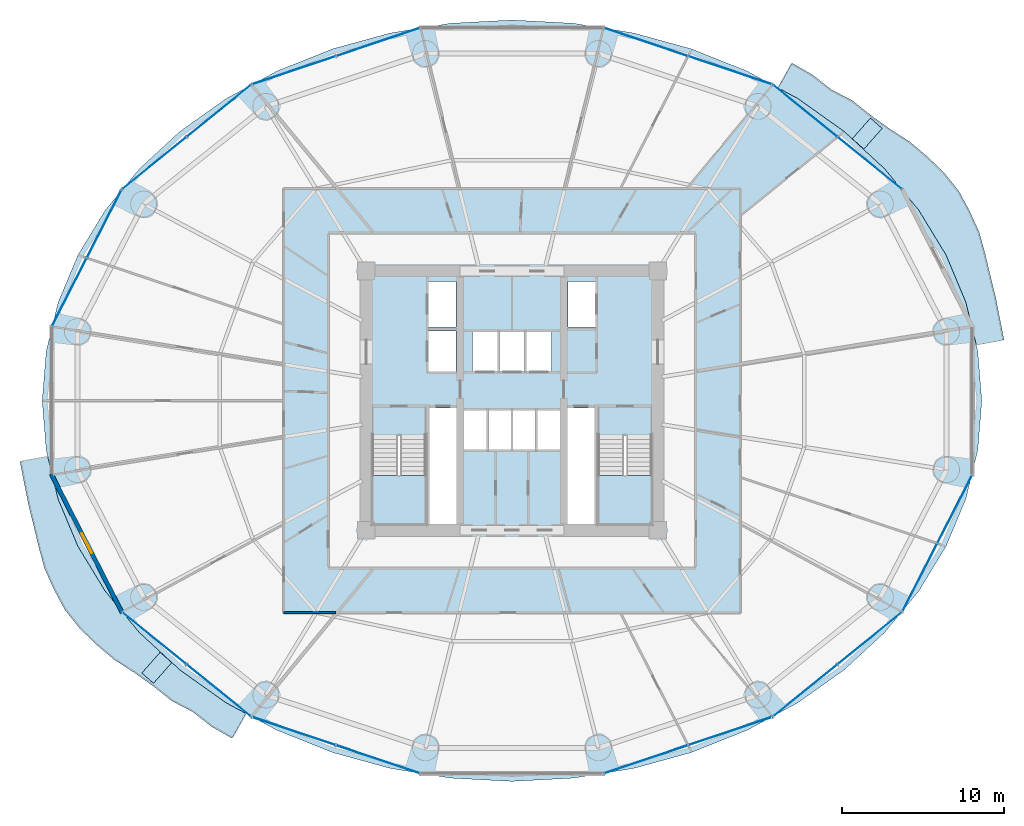
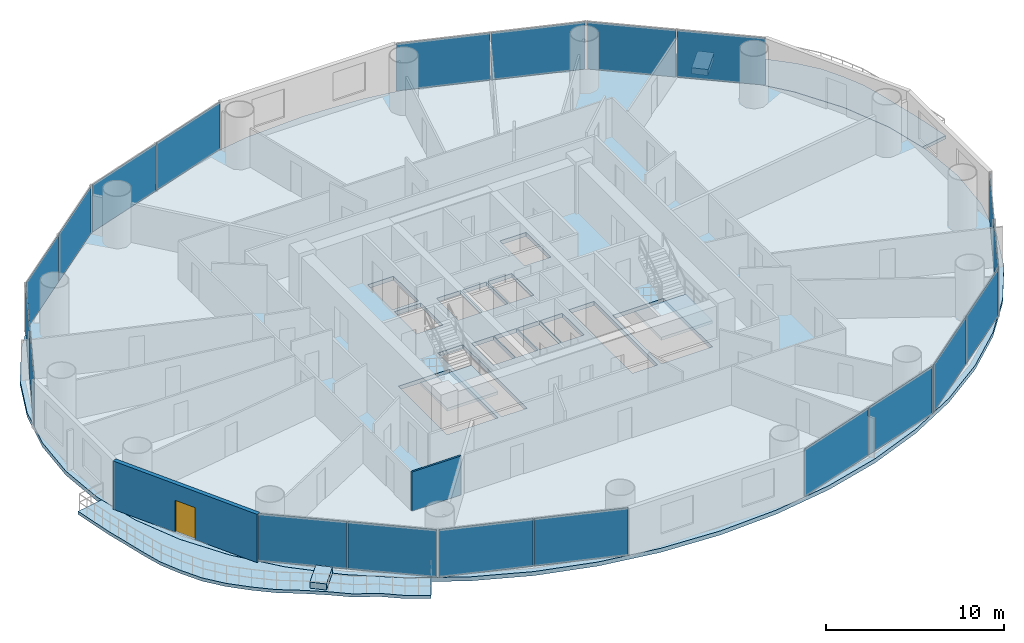
# One storey, part 20 of 28: 20 plates, 7 slabs, 2 walls, 1 door, 1 opening, 12 elements without a shape of their own.
"""IFC4 building model written with IfcOpenShell, lengths in metres."""

from ifc_helpers import new_model, si_unit, direction, frame, frame_2d, origin, origin_2d, place, context, subcontext, project, spatial, polyline, rectangle, outline, extrude, source, transform, mapped, material, layer, layer_set, type_object, element, fill, aggregate, save


model = new_model("IFC4")

# Units and contexts
model_context = context("Model", 3, precision=1e-05, world=origin(), true_north=direction((-0.2419218956, 0.970295726276)))
body_context = subcontext(model_context, "Body", "Model", "MODEL_VIEW")
ifc_project = project(units=[si_unit("LENGTHUNIT", "METRE"), si_unit("AREAUNIT", "SQUARE_METRE"), si_unit("VOLUMEUNIT", "CUBIC_METRE"), si_unit("PLANEANGLEUNIT", "RADIAN"), si_unit("MASSUNIT", "GRAM", prefix="KILO")], contexts=[model_context])

# Site, building, storey
site_placement = place(None, origin())
site = spatial("IfcSite", under=ifc_project, at=site_placement, CompositionType="ELEMENT")
building_placement = place(site_placement, origin())
building = spatial("IfcBuilding", under=site, at=building_placement, Name="Cobrevalo Terracotta Tower", CompositionType="ELEMENT")
storey_placement = place(building_placement, frame((0.0, 0.0, 38.39990234375)))
storey = spatial("IfcBuildingStorey", under=building, at=storey_placement, Name="L09", CompositionType="ELEMENT", Elevation=38.39990234375)

# Stair, slab
ifc_material_1 = material(Name="Concrete C50", Category="concrete")
stair_type = type_object("IfcStairType", Name="Core protected escape dogleg stair 1600", PredefinedType="HALF_TURN_STAIR", material=ifc_material_1)
stair_1_placement = place(storey_placement, origin())
stair_1 = element("IfcStair", 1, at=stair_1_placement, inside=storey, type_object=stair_type, Name="L09 Protected exit stair ST-1", PredefinedType="HALF_TURN_STAIR")
ifc_layer_1 = layer(ifc_material_1, 0.199951171875)
ifc_layer_set_1 = layer_set([ifc_layer_1], Name="Concrete C50")
slab_type_1 = type_object("IfcSlabType", Name="Reinforced Concrete Stair Landing 200", PredefinedType="LANDING", material=ifc_layer_set_1)
slab_1_placement = place(storey_placement, frame((0.0, 0.0, 1.60009765625)))
slab_1 = element("IfcSlab", 2, at=slab_1_placement, type_object=slab_type_1, Name="ST-1 landing 1", PredefinedType="LANDING", context=body_context, shape_type="SweptSolid", body=[
    extrude(outline(polyline([(29.375, 22.179931640625), (29.375, 19.175048828125), (32.695068359375, 19.175048828125), (32.695068359375, 22.179931640625), (29.375, 22.179931640625)])), origin(), (0.0, 0.0, 1.0), 0.199951171875),
])
aggregate(stair_1, [slab_1])

stair_2_placement = place(storey_placement, origin())
stair_2 = element("IfcStair", 3, at=stair_2_placement, inside=storey, type_object=stair_type, Name="L09 Protected exit stair ST-2", PredefinedType="HALF_TURN_STAIR")
slab_2_placement = place(storey_placement, frame((0.0, 0.0, 1.60009765625)))
slab_2 = element("IfcSlab", 4, at=slab_2_placement, type_object=slab_type_1, Name="ST-2 landing 1", PredefinedType="LANDING", context=body_context, shape_type="SweptSolid", body=[
    extrude(outline(polyline([(43.304931640625, 22.179931640625), (43.304931640625, 19.175048828125), (46.625, 19.175048828125), (46.625, 22.179931640625), (43.304931640625, 22.179931640625)])), origin(), (0.0, 0.0, 1.0), 0.199951171875),
])
aggregate(stair_2, [slab_2])

# Slabs
ifc_material_2 = material(Name="Concrete C45", Category="concrete")
ifc_layer_2 = layer(ifc_material_2, 0.219970703125)
ifc_layer_set_2 = layer_set([ifc_layer_2], Name="Concrete C45")
slab_type_2 = type_object("IfcSlabType", Name="Spiralling cantilevered balcony lobe slab 220 mm", PredefinedType="FLOOR", material=ifc_layer_set_2)
slab_3_placement = place(storey_placement, frame((0.0, 0.0, -0.219970703125)))
element("IfcSlab", 5, at=slab_3_placement, inside=storey, type_object=slab_type_2, Name="L09 spiralling arc balcony slab lobe 1", PredefinedType="FLOOR", context=body_context, shape_type="SweptSolid", body=[
    extrude(outline(polyline([(68.37060546875, 30.549560546875), (68.120849609375, 31.8515625), (67.861083984375, 33.158447265625), (67.540283203125, 34.47265625), (67.219970703125, 35.8173828125), (66.849365234375, 37.1708984375), (66.27099609375, 38.466064453125), (65.593994140625, 39.715087890625), (64.701171875, 40.838623046875), (63.66357421875, 41.850341796875), (62.562255859375, 42.779296875), (61.32080078125, 43.580810546875), (60.14697265625, 44.41748046875), (59.019775390625, 45.320068359375), (57.7158203125, 46.002685546875), (56.57080078125, 46.901611328125), (55.283447265625, 47.643310546875), (54.427001953125, 46.1103515625), (55.6552734375, 45.4453125), (58.507568359375, 43.41845703125), (61.0087890625, 41.107177734375), (63.116455078125, 38.551025390625), (64.79443359375, 35.7939453125), (66.013671875, 32.8828125), (66.6630859375, 30.237548828125), (68.37060546875, 30.549560546875)])), origin(), (0.0, 0.0, 1.0), 0.219970703125),
])
slab_4_placement = place(storey_placement, frame((0.0, 0.0, -0.219970703125)))
element("IfcSlab", 6, at=slab_4_placement, inside=storey, type_object=slab_type_2, Name="L09 spiralling arc balcony slab lobe 2", PredefinedType="FLOOR", context=body_context, shape_type="SweptSolid", body=[
    extrude(outline(polyline([(7.62939453125, 23.050537109375), (7.879150390625, 21.748291015625), (8.138916015625, 20.441650390625), (8.459716796875, 19.12744140625), (8.780029296875, 17.782470703125), (9.150634765625, 16.428955078125), (9.72900390625, 15.134033203125), (10.406005859375, 13.885009765625), (11.298828125, 12.761474609375), (12.33642578125, 11.749755859375), (13.437744140625, 10.82080078125), (14.67919921875, 10.019287109375), (15.85302734375, 9.182373046875), (16.980224609375, 8.280029296875), (18.2841796875, 7.597412109375), (19.42919921875, 6.698486328125), (20.716552734375, 5.956787109375), (21.572998046875, 7.489501953125), (20.3447265625, 8.154541015625), (17.492431640625, 10.181640625), (14.9912109375, 12.492919921875), (12.883544921875, 15.049072265625), (11.20556640625, 17.80615234375), (9.986328125, 20.71728515625), (9.3369140625, 23.362548828125), (7.62939453125, 23.050537109375)])), origin(), (0.0, 0.0, 1.0), 0.219970703125),
])
ifc_material_3 = material(Name="Precast concrete C45", Category="concrete")
ifc_layer_3 = layer(ifc_material_3, 0.419921875)
ifc_layer_set_3 = layer_set([ifc_layer_3], Name="Precast concrete C45")
slab_type_3 = type_object("IfcSlabType", Name="Structural tree planter trough base 420 mm", PredefinedType="USERDEFINED", material=ifc_layer_set_3)
slab_5_placement = place(storey_placement, origin())
element("IfcSlab", 7, at=slab_5_placement, inside=storey, type_object=slab_type_3, Name="L09 structural tree planter trough 1", ObjectType="PLANTER", PredefinedType="USERDEFINED", context=body_context, shape_type="SweptSolid", body=[
    extrude(outline(polyline([(59.722412109375, 42.33447265625), (60.8486328125, 43.607666015625), (60.129638671875, 44.24365234375), (59.00341796875, 42.970458984375), (59.722412109375, 42.33447265625)])), origin(), (0.0, 0.0, 1.0), 0.420166015625),
])
slab_6_placement = place(storey_placement, origin())
element("IfcSlab", 8, at=slab_6_placement, inside=storey, type_object=slab_type_3, Name="L09 structural tree planter trough 2", ObjectType="PLANTER", PredefinedType="USERDEFINED", context=body_context, shape_type="SweptSolid", body=[
    extrude(outline(polyline([(16.277587890625, 11.265625), (15.1513671875, 9.9921875), (15.870361328125, 9.356201171875), (16.99658203125, 10.629638671875), (16.277587890625, 11.265625)])), origin(), (0.0, 0.0, 1.0), 0.420166015625),
])
ifc_layer_4 = layer(ifc_material_1, 0.280029296875)
ifc_layer_set_4 = layer_set([ifc_layer_4], Name="Concrete C50")
slab_type_4 = type_object("IfcSlabType", Name="Zone Z1 elliptical floor plate 280 mm", PredefinedType="FLOOR", material=ifc_layer_set_4)
slab_7_placement = place(storey_placement, frame((0.0, 0.0, -0.27978515625)))
element("IfcSlab", 9, at=slab_7_placement, inside=storey, type_object=slab_type_4, Name="L09 indoor elliptical floor slab", PredefinedType="FLOOR", context=body_context, shape_type="SweptSolid", body=[
    extrude(outline(polyline([(66.751953125, 23.732666015625), (66.011962890625, 20.7177734375), (64.79248046875, 17.806884765625), (63.11474609375, 15.050048828125), (61.00732421875, 12.494140625), (58.506103515625, 10.18310546875), (55.654052734375, 8.15625), (52.5, 6.448486328125), (49.097900390625, 5.0888671875), (45.505859375, 4.100830078125), (41.78515625, 3.5009765625), (38.0, 3.300048828125), (34.21484375, 3.5009765625), (30.494140625, 4.100830078125), (26.902099609375, 5.0888671875), (23.5, 6.448486328125), (20.345947265625, 8.15625), (17.493896484375, 10.18310546875), (14.99267578125, 12.494140625), (12.88525390625, 15.050048828125), (11.20751953125, 17.806884765625), (9.988037109375, 20.7177734375), (9.248046875, 23.732666015625), (9.0, 26.800048828125), (9.248046875, 29.867431640625), (9.988037109375, 32.88232421875), (11.20751953125, 35.79296875), (12.88525390625, 38.550048828125), (14.99267578125, 41.10595703125), (17.493896484375, 43.4169921875), (20.345947265625, 45.44384765625), (23.5, 47.151611328125), (26.902099609375, 48.51123046875), (30.494140625, 49.499267578125), (34.21484375, 50.098876953125), (38.0, 50.300048828125), (41.78515625, 50.098876953125), (45.505859375, 49.499267578125), (49.097900390625, 48.51123046875), (52.5, 47.151611328125), (55.654052734375, 45.44384765625), (58.506103515625, 43.4169921875), (61.00732421875, 41.10595703125), (63.11474609375, 38.550048828125), (64.79248046875, 35.79296875), (66.011962890625, 32.88232421875), (66.751953125, 29.867431640625), (67.0, 26.800048828125), (66.751953125, 23.732666015625)]), holes=[polyline([(32.695068359375, 19.175048828125), (32.695068359375, 24.659912109375), (29.375, 24.659912109375), (29.375, 19.175048828125), (32.695068359375, 19.175048828125)]), polyline([(34.574951171875, 19.175048828125), (34.574951171875, 26.360107421875), (32.919921875, 26.360107421875), (32.919921875, 19.175048828125), (34.574951171875, 19.175048828125)]), polyline([(36.47998046875, 23.800048828125), (36.47998046875, 26.25), (35.050048828125, 26.25), (35.050048828125, 23.800048828125), (36.47998046875, 23.800048828125)]), polyline([(37.9599609375, 23.800048828125), (37.9599609375, 26.25), (36.530029296875, 26.25), (36.530029296875, 23.800048828125), (37.9599609375, 23.800048828125)]), polyline([(37.1201171875, 28.60009765625), (37.1201171875, 31.050048828125), (35.550048828125, 31.050048828125), (35.550048828125, 28.60009765625), (37.1201171875, 28.60009765625)]), polyline([(34.550048828125, 28.60009765625), (34.550048828125, 31.10009765625), (32.85009765625, 31.10009765625), (32.85009765625, 28.60009765625), (34.550048828125, 28.60009765625)]), polyline([(34.550048828125, 31.35009765625), (34.550048828125, 34.14990234375), (32.85009765625, 34.14990234375), (32.85009765625, 31.35009765625), (34.550048828125, 31.35009765625)]), polyline([(46.625, 19.175048828125), (46.625, 24.659912109375), (43.304931640625, 24.659912109375), (43.304931640625, 19.175048828125), (46.625, 19.175048828125)]), polyline([(43.080078125, 19.175048828125), (43.080078125, 26.360107421875), (41.425048828125, 26.360107421875), (41.425048828125, 19.175048828125), (43.080078125, 19.175048828125)]), polyline([(39.469970703125, 23.800048828125), (39.469970703125, 26.25), (38.0400390625, 26.25), (38.0400390625, 23.800048828125), (39.469970703125, 23.800048828125)]), polyline([(40.949951171875, 23.800048828125), (40.949951171875, 26.25), (39.52001953125, 26.25), (39.52001953125, 23.800048828125), (40.949951171875, 23.800048828125)]), polyline([(38.780029296875, 28.60009765625), (38.780029296875, 31.050048828125), (37.219970703125, 31.050048828125), (37.219970703125, 28.60009765625), (38.780029296875, 28.60009765625)]), polyline([(40.449951171875, 28.60009765625), (40.449951171875, 31.050048828125), (38.8798828125, 31.050048828125), (38.8798828125, 28.60009765625), (40.449951171875, 28.60009765625)]), polyline([(43.14990234375, 31.35009765625), (43.14990234375, 34.14990234375), (41.449951171875, 34.14990234375), (41.449951171875, 31.35009765625), (43.14990234375, 31.35009765625)])]), origin(), (0.0, 0.0, 1.0), 0.27978515625),
])

# Curtain wall, plates
ifc_material_4 = material(Name="Anodized aluminium", Category="aluminium")
curtain_wall_type = type_object("IfcCurtainWallType", Name="Lower-tower unitised acoustic low-E curtain wall CW-U1", PredefinedType="NOTDEFINED", material=ifc_material_4)
curtain_wall_1_placement = place(storey_placement, origin())
curtain_wall_1 = element("IfcCurtainWall", 10, at=curtain_wall_1_placement, inside=storey, type_object=curtain_wall_type, Name="L09 curtain wall CW-L09-S02", PredefinedType="NOTDEFINED")
ifc_material_5 = material(Name="Solar-control low-E double glazing", Category="glass")
ifc_layer_5 = layer(ifc_material_5, 0.028076171875)
ifc_layer_set_5 = layer_set([ifc_layer_5], Name="Solar-control low-E double glazing")
plate_type = type_object("IfcPlateType", Name="Tower solar-control low-E vision glass panel 28 mm", PredefinedType="CURTAIN_PANEL", material=ifc_layer_set_5)
shared_shape_1 = source(origin(), body_context, "Body", "SweptSolid", [
    extrude(rectangle(XDim=5.023193359375, YDim=0.035888671875, at=origin_2d()), origin(), (0.0, 0.0, 1.0), 3.239990234375),
])
plate_1_placement = place(storey_placement, frame((60.073974609375, 41.470703125, 0.0400390625), z_axis=(0.0, 0.0, 1.0), x_axis=(-0.777007547884, 0.629491279154, 0.0)))
plate_1 = element("IfcPlate", 11, at=plate_1_placement, type_object=plate_type, Name="CW-L09-S02 glazing panel B01", PredefinedType="CURTAIN_PANEL", context=body_context, shape_type="MappedRepresentation", body=[
    mapped(shared_shape_1, transform((0.0, 0.0, 0.0), scale=1.0)),
])
plate_2_placement = place(storey_placement, frame((56.108642578125, 44.68310546875, 0.0400390625), z_axis=(0.0, 0.0, 1.0), x_axis=(-0.777007547884, 0.629491279154, 0.0)))
plate_2 = element("IfcPlate", 12, at=plate_2_placement, type_object=plate_type, Name="CW-L09-S02 glazing panel B02", PredefinedType="CURTAIN_PANEL", context=body_context, shape_type="MappedRepresentation", body=[
    mapped(shared_shape_1, transform((0.0, 0.0, 0.0), scale=1.0)),
])
aggregate(curtain_wall_1, [plate_1, plate_2])

curtain_wall_2_placement = place(storey_placement, origin())
curtain_wall_2 = element("IfcCurtainWall", 13, at=curtain_wall_2_placement, inside=storey, type_object=curtain_wall_type, Name="L09 curtain wall CW-L09-S06", PredefinedType="NOTDEFINED")
plate_3_placement = place(storey_placement, frame((19.891357421875, 44.68310546875, 0.0400390625), z_axis=(0.0, 0.0, 1.0), x_axis=(-0.777007547884, -0.629491279154, 0.0)))
plate_3 = element("IfcPlate", 14, at=plate_3_placement, type_object=plate_type, Name="CW-L09-S06 glazing panel B01", PredefinedType="CURTAIN_PANEL", context=body_context, shape_type="MappedRepresentation", body=[
    mapped(shared_shape_1, transform((0.0, 0.0, 0.0), scale=1.0)),
])
plate_4_placement = place(storey_placement, frame((15.926025390625, 41.470703125, 0.0400390625), z_axis=(0.0, 0.0, 1.0), x_axis=(-0.777007547884, -0.629491279154, 0.0)))
plate_4 = element("IfcPlate", 15, at=plate_4_placement, type_object=plate_type, Name="CW-L09-S06 glazing panel B02", PredefinedType="CURTAIN_PANEL", context=body_context, shape_type="MappedRepresentation", body=[
    mapped(shared_shape_1, transform((0.0, 0.0, 0.0), scale=1.0)),
])
aggregate(curtain_wall_2, [plate_3, plate_4])

curtain_wall_3_placement = place(storey_placement, origin())
curtain_wall_3 = element("IfcCurtainWall", 16, at=curtain_wall_3_placement, inside=storey, type_object=curtain_wall_type, Name="L09 curtain wall CW-L09-S10", PredefinedType="NOTDEFINED")
plate_5_placement = place(storey_placement, frame((15.926025390625, 12.12939453125, 0.0400390625), z_axis=(0.0, 0.0, 1.0), x_axis=(0.777007547884, -0.629491279154, 0.0)))
plate_5 = element("IfcPlate", 17, at=plate_5_placement, type_object=plate_type, Name="CW-L09-S10 glazing panel B01", PredefinedType="CURTAIN_PANEL", context=body_context, shape_type="MappedRepresentation", body=[
    mapped(shared_shape_1, transform((0.0, 0.0, 0.0), scale=1.0)),
])
plate_6_placement = place(storey_placement, frame((19.891357421875, 8.916748046875, 0.0400390625), z_axis=(0.0, 0.0, 1.0), x_axis=(0.777007547884, -0.629491279154, 0.0)))
plate_6 = element("IfcPlate", 18, at=plate_6_placement, type_object=plate_type, Name="CW-L09-S10 glazing panel B02", PredefinedType="CURTAIN_PANEL", context=body_context, shape_type="MappedRepresentation", body=[
    mapped(shared_shape_1, transform((0.0, 0.0, 0.0), scale=1.0)),
])
aggregate(curtain_wall_3, [plate_5, plate_6])

curtain_wall_4_placement = place(storey_placement, origin())
curtain_wall_4 = element("IfcCurtainWall", 19, at=curtain_wall_4_placement, inside=storey, type_object=curtain_wall_type, Name="L09 curtain wall CW-L09-S14", PredefinedType="NOTDEFINED")
plate_7_placement = place(storey_placement, frame((56.108642578125, 8.916748046875, 0.0400390625), z_axis=(0.0, 0.0, 1.0), x_axis=(0.777007547884, 0.629491279154, 0.0)))
plate_7 = element("IfcPlate", 20, at=plate_7_placement, type_object=plate_type, Name="CW-L09-S14 glazing panel B01", PredefinedType="CURTAIN_PANEL", context=body_context, shape_type="MappedRepresentation", body=[
    mapped(shared_shape_1, transform((0.0, 0.0, 0.0), scale=1.0)),
])
plate_8_placement = place(storey_placement, frame((60.073974609375, 12.12939453125, 0.0400390625), z_axis=(0.0, 0.0, 1.0), x_axis=(0.777007547884, 0.629491279154, 0.0)))
plate_8 = element("IfcPlate", 21, at=plate_8_placement, type_object=plate_type, Name="CW-L09-S14 glazing panel B02", PredefinedType="CURTAIN_PANEL", context=body_context, shape_type="MappedRepresentation", body=[
    mapped(shared_shape_1, transform((0.0, 0.0, 0.0), scale=1.0)),
])
aggregate(curtain_wall_4, [plate_7, plate_8])

curtain_wall_5_placement = place(storey_placement, origin())
curtain_wall_5 = element("IfcCurtainWall", 22, at=curtain_wall_5_placement, inside=storey, type_object=curtain_wall_type, Name="L09 curtain wall CW-L09-S03", PredefinedType="NOTDEFINED")
shared_shape_2 = source(origin(), body_context, "Body", "SweptSolid", [
    extrude(rectangle(XDim=5.3876953125, YDim=0.035888671875, at=origin_2d()), origin(), (0.0, 0.0, 1.0), 3.239990234375),
])
plate_9_placement = place(storey_placement, frame((51.465087890625, 47.197021484375, 0.0400390625), z_axis=(0.0, 0.0, 1.0), x_axis=(-0.948044172593, 0.318138722592, 0.0)))
plate_9 = element("IfcPlate", 23, at=plate_9_placement, type_object=plate_type, Name="CW-L09-S03 glazing panel B01", PredefinedType="CURTAIN_PANEL", context=body_context, shape_type="MappedRepresentation", body=[
    mapped(shared_shape_2, transform((0.0, 0.0, 0.0), scale=1.0)),
])
plate_10_placement = place(storey_placement, frame((46.281494140625, 48.9365234375, 0.0400390625), z_axis=(0.0, 0.0, 1.0), x_axis=(-0.948044172593, 0.318138722592, 0.0)))
plate_10 = element("IfcPlate", 24, at=plate_10_placement, type_object=plate_type, Name="CW-L09-S03 glazing panel B02", PredefinedType="CURTAIN_PANEL", context=body_context, shape_type="MappedRepresentation", body=[
    mapped(shared_shape_2, transform((0.0, 0.0, 0.0), scale=1.0)),
])
aggregate(curtain_wall_5, [plate_9, plate_10])

curtain_wall_6_placement = place(storey_placement, origin())
curtain_wall_6 = element("IfcCurtainWall", 25, at=curtain_wall_6_placement, inside=storey, type_object=curtain_wall_type, Name="L09 curtain wall CW-L09-S05", PredefinedType="NOTDEFINED")
plate_11_placement = place(storey_placement, frame((29.718505859375, 48.9365234375, 0.0400390625), z_axis=(0.0, 0.0, 1.0), x_axis=(-0.948044172593, -0.318138722592, 0.0)))
plate_11 = element("IfcPlate", 26, at=plate_11_placement, type_object=plate_type, Name="CW-L09-S05 glazing panel B01", PredefinedType="CURTAIN_PANEL", context=body_context, shape_type="MappedRepresentation", body=[
    mapped(shared_shape_2, transform((0.0, 0.0, 0.0), scale=1.0)),
])
plate_12_placement = place(storey_placement, frame((24.534912109375, 47.197021484375, 0.0400390625), z_axis=(0.0, 0.0, 1.0), x_axis=(-0.948044172593, -0.318138722592, 0.0)))
plate_12 = element("IfcPlate", 27, at=plate_12_placement, type_object=plate_type, Name="CW-L09-S05 glazing panel B02", PredefinedType="CURTAIN_PANEL", context=body_context, shape_type="MappedRepresentation", body=[
    mapped(shared_shape_2, transform((0.0, 0.0, 0.0), scale=1.0)),
])
aggregate(curtain_wall_6, [plate_11, plate_12])

curtain_wall_7_placement = place(storey_placement, origin())
curtain_wall_7 = element("IfcCurtainWall", 28, at=curtain_wall_7_placement, inside=storey, type_object=curtain_wall_type, Name="L09 curtain wall CW-L09-S11", PredefinedType="NOTDEFINED")
plate_13_placement = place(storey_placement, frame((24.534912109375, 6.40283203125, 0.0400390625), z_axis=(0.0, 0.0, 1.0), x_axis=(0.948044172593, -0.318138722592, 0.0)))
plate_13 = element("IfcPlate", 29, at=plate_13_placement, type_object=plate_type, Name="CW-L09-S11 glazing panel B01", PredefinedType="CURTAIN_PANEL", context=body_context, shape_type="MappedRepresentation", body=[
    mapped(shared_shape_2, transform((0.0, 0.0, 0.0), scale=1.0)),
])
plate_14_placement = place(storey_placement, frame((29.718505859375, 4.663330078125, 0.0400390625), z_axis=(0.0, 0.0, 1.0), x_axis=(0.948044172593, -0.318138722592, 0.0)))
plate_14 = element("IfcPlate", 30, at=plate_14_placement, type_object=plate_type, Name="CW-L09-S11 glazing panel B02", PredefinedType="CURTAIN_PANEL", context=body_context, shape_type="MappedRepresentation", body=[
    mapped(shared_shape_2, transform((0.0, 0.0, 0.0), scale=1.0)),
])
aggregate(curtain_wall_7, [plate_13, plate_14])

curtain_wall_8_placement = place(storey_placement, origin())
curtain_wall_8 = element("IfcCurtainWall", 31, at=curtain_wall_8_placement, inside=storey, type_object=curtain_wall_type, Name="L09 curtain wall CW-L09-S13", PredefinedType="NOTDEFINED")
plate_15_placement = place(storey_placement, frame((46.281494140625, 4.663330078125, 0.0400390625), z_axis=(0.0, 0.0, 1.0), x_axis=(0.948044172593, 0.318138722592, 0.0)))
plate_15 = element("IfcPlate", 32, at=plate_15_placement, type_object=plate_type, Name="CW-L09-S13 glazing panel B01", PredefinedType="CURTAIN_PANEL", context=body_context, shape_type="MappedRepresentation", body=[
    mapped(shared_shape_2, transform((0.0, 0.0, 0.0), scale=1.0)),
])
plate_16_placement = place(storey_placement, frame((51.465087890625, 6.40283203125, 0.0400390625), z_axis=(0.0, 0.0, 1.0), x_axis=(0.948044172593, 0.318138722592, 0.0)))
plate_16 = element("IfcPlate", 33, at=plate_16_placement, type_object=plate_type, Name="CW-L09-S13 glazing panel B02", PredefinedType="CURTAIN_PANEL", context=body_context, shape_type="MappedRepresentation", body=[
    mapped(shared_shape_2, transform((0.0, 0.0, 0.0), scale=1.0)),
])
aggregate(curtain_wall_8, [plate_15, plate_16])

curtain_wall_9_placement = place(storey_placement, origin())
curtain_wall_9 = element("IfcCurtainWall", 34, at=curtain_wall_9_placement, inside=storey, type_object=curtain_wall_type, Name="L09 curtain wall CW-L09-S07", PredefinedType="NOTDEFINED")
shared_shape_3 = source(origin(), body_context, "Body", "SweptSolid", [
    extrude(rectangle(XDim=4.631103515625, YDim=0.035888671875, at=origin_2d()), origin(), (0.0, 0.0, 1.0), 3.239990234375),
])
plate_17_placement = place(storey_placement, frame((12.82177734375, 37.706298828125, 0.0400390625), z_axis=(0.0, 0.0, 1.0), x_axis=(-0.45523102861, -0.890373354605, 0.0)))
plate_17 = element("IfcPlate", 35, at=plate_17_placement, type_object=plate_type, Name="CW-L09-S07 glazing panel B01", PredefinedType="CURTAIN_PANEL", context=body_context, shape_type="MappedRepresentation", body=[
    mapped(shared_shape_3, transform((0.0, 0.0, 0.0), scale=1.0)),
])
plate_18_placement = place(storey_placement, frame((10.67724609375, 33.51171875, 0.0400390625), z_axis=(0.0, 0.0, 1.0), x_axis=(-0.45523102861, -0.890373354605, 0.0)))
plate_18 = element("IfcPlate", 36, at=plate_18_placement, type_object=plate_type, Name="CW-L09-S07 glazing panel B02", PredefinedType="CURTAIN_PANEL", context=body_context, shape_type="MappedRepresentation", body=[
    mapped(shared_shape_3, transform((0.0, 0.0, 0.0), scale=1.0)),
])
aggregate(curtain_wall_9, [plate_17, plate_18])

curtain_wall_10_placement = place(storey_placement, origin())
curtain_wall_10 = element("IfcCurtainWall", 37, at=curtain_wall_10_placement, inside=storey, type_object=curtain_wall_type, Name="L09 curtain wall CW-L09-S15", PredefinedType="NOTDEFINED")
plate_19_placement = place(storey_placement, frame((63.17822265625, 15.893798828125, 0.0400390625), z_axis=(0.0, 0.0, 1.0), x_axis=(0.45523102861, 0.890373354605, 0.0)))
plate_19 = element("IfcPlate", 38, at=plate_19_placement, type_object=plate_type, Name="CW-L09-S15 glazing panel B01", PredefinedType="CURTAIN_PANEL", context=body_context, shape_type="MappedRepresentation", body=[
    mapped(shared_shape_3, transform((0.0, 0.0, 0.0), scale=1.0)),
])
plate_20_placement = place(storey_placement, frame((65.32275390625, 20.08837890625, 0.0400390625), z_axis=(0.0, 0.0, 1.0), x_axis=(0.45523102861, 0.890373354605, 0.0)))
plate_20 = element("IfcPlate", 39, at=plate_20_placement, type_object=plate_type, Name="CW-L09-S15 glazing panel B02", PredefinedType="CURTAIN_PANEL", context=body_context, shape_type="MappedRepresentation", body=[
    mapped(shared_shape_3, transform((0.0, 0.0, 0.0), scale=1.0)),
])
aggregate(curtain_wall_10, [plate_19, plate_20])

# Wall, opening, door
ifc_material_6 = material(Name="Autoclaved aerated concrete block", Category="concrete")
ifc_layer_6 = layer(ifc_material_6, 0.260009765625)
ifc_layer_set_6 = layer_set([ifc_layer_6], Name="Autoclaved aerated concrete block")
wall_type_1 = type_object("IfcWallType", Name="Recessed balcony loggia insulated exterior wall 260 mm", PredefinedType="SOLIDWALL", material=ifc_layer_set_6)
wall_1_placement = place(storey_placement, frame((9.55029296875, 22.29248046875, 0.0), z_axis=(0.0, 0.0, 1.0), x_axis=(0.455220575541, -0.890378698984, 0.0)))
wall_1 = element("IfcWall", 40, at=wall_1_placement, inside=storey, type_object=wall_type_1, Name="L09 balcony loggia wall S09", PredefinedType="SOLIDWALL", context=body_context, shape_type="SweptSolid", body=[
    extrude(rectangle(XDim=9.662109375, YDim=0.260009765625, at=frame_2d((4.8310546875, 0.0))), origin(), (0.0, 0.0, 1.0), 3.320068359375),
])
opening_placement = place(wall_1_placement, frame((4.156005859375, 0.0, 0.0)))
opening = element("IfcOpeningElement", 41, at=opening_placement, cuts=wall_1, Name="Opening ED-05", PredefinedType="OPENING", context=body_context, shape_type="SweptSolid", body=[
    extrude(rectangle(XDim=1.35009765625, YDim=2.199951171875, at=frame_2d((0.675048828125, 1.10009765625))), frame((0.0, 0.14013671875, 0.0), z_axis=(0.0, -1.0, 0.0), x_axis=(1.0, 0.0, 0.0)), (0.0, 0.0, 1.0), 0.280029296875),
])
ifc_material_7 = material(Name="Anodized aluminium and laminated glass", Category="aluminium")
door_type = type_object("IfcDoorType", Name="Suite balcony acoustic glazed terrace door 1350x2200", OperationType="NOTDEFINED", PredefinedType="DOOR", material=ifc_material_7)
shared_shape_4 = source(origin(), body_context, "Body", "SweptSolid", [
    extrude(rectangle(XDim=1.35009765625, YDim=2.199951171875, at=frame_2d((0.675048828125, 1.10009765625))), frame((0.0, 0.02490234375, 0.0), z_axis=(0.0, -1.0, 0.0), x_axis=(1.0, 0.0, 0.0)), (0.0, 0.0, 1.0), 0.050048828125),
])
door_placement = place(opening_placement, frame((1.35009765625, 0.0, 0.0), z_axis=(0.0, 0.0, 1.0), x_axis=(-1.0, 0.0, 0.0)))
door = element("IfcDoor", 42, at=door_placement, inside=storey, type_object=door_type, Name="L09 glazed balcony terrace door 2", OperationType="SINGLE_SWING_RIGHT", OverallHeight=2.199951171875, OverallWidth=1.35009765625, PredefinedType="DOOR", context=body_context, shape_type="MappedRepresentation", body=[
    mapped(shared_shape_4, transform((0.0, 0.0, 0.0), scale=1.0)),
])
fill(opening, door)

# Wall
ifc_material_8 = material(Name="Gypsum board on steel stud", Category="steel")
ifc_layer_7 = layer(ifc_material_8, 0.1201171875)
ifc_layer_set_7 = layer_set([ifc_layer_7], Name="Gypsum board on steel stud")
wall_type_2 = type_object("IfcWallType", Name="Residential internal acoustic stud partition 120 mm", PredefinedType="PARTITIONING", material=ifc_layer_set_7)
wall_2_placement = place(storey_placement, frame((27.108642578125, 13.715087890625, 0.0), z_axis=(0.0, 0.0, 1.0), x_axis=(-1.0, 0.0, 0.0)))
element("IfcWall", 43, at=wall_2_placement, inside=storey, type_object=wall_type_2, Name="L09 interior partition IW-L09-U2-RING0_0", PredefinedType="PARTITIONING", context=body_context, shape_type="SweptSolid", body=[
    extrude(rectangle(XDim=3.193603515625, YDim=0.1201171875, at=frame_2d((1.5966796875, 0.0))), origin(), (0.0, 0.0, 1.0), 2.68798828125),
])

save(model, "model.ifc")
